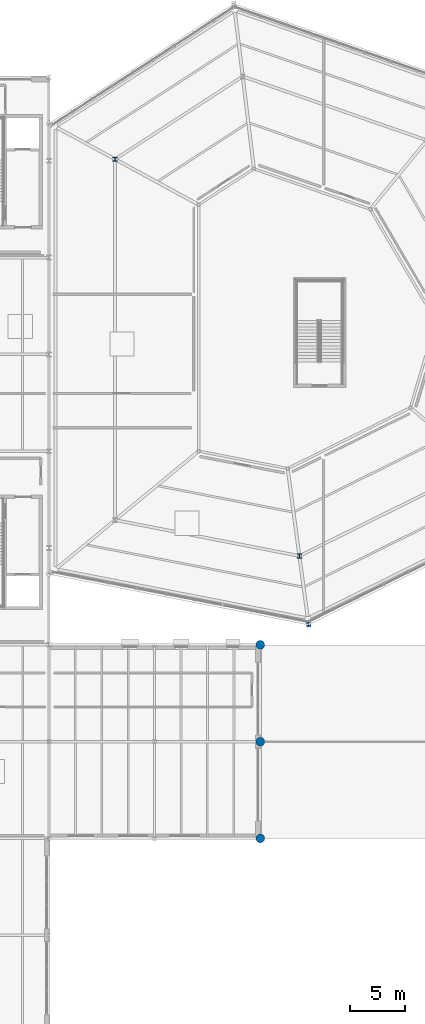
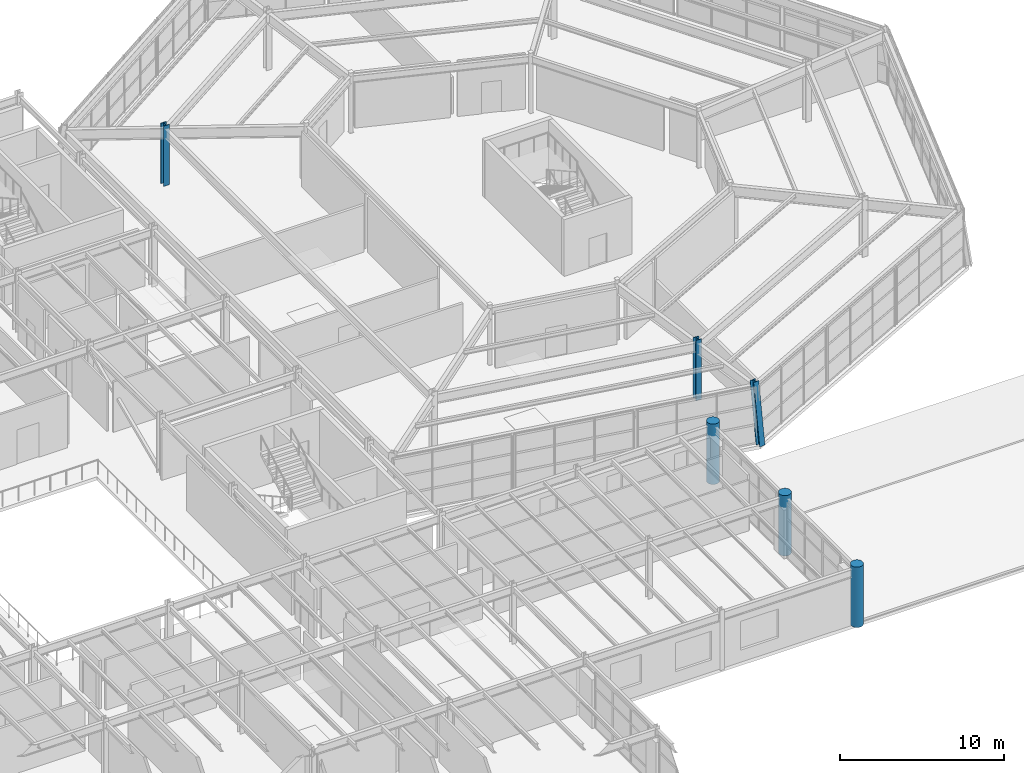
# One storey, part 14 of 77: 6 columns.
"""IFC4 building model written with IfcOpenShell, lengths in metres."""

from ifc_helpers import new_model, si_unit, direction, frame, origin, origin_2d, place, context, subcontext, project, spatial, circle, i_section, extrude, material, material_profile, profile_set, type_object, element, save


model = new_model("IFC4")

# Units and contexts
model_context = context("Model", 3, precision=1e-05, world=origin(), true_north=direction((0.0, 1.0)))
body_context = subcontext(model_context, "Body", "Model", "MODEL_VIEW")
ifc_project = project(units=[si_unit("LENGTHUNIT", "METRE"), si_unit("AREAUNIT", "SQUARE_METRE"), si_unit("VOLUMEUNIT", "CUBIC_METRE"), si_unit("PLANEANGLEUNIT", "RADIAN"), si_unit("MASSUNIT", "GRAM", prefix="KILO")], contexts=[model_context])

# Site, building, storey
site_placement = place(None, origin())
site = spatial("IfcSite", under=ifc_project, at=site_placement, CompositionType="ELEMENT")
building_placement = place(site_placement, origin())
building = spatial("IfcBuilding", under=site, at=building_placement, Name="Sarnbrook Museum", CompositionType="ELEMENT")
storey_placement = place(building_placement, frame((0.0, 0.0, 5.60009765625)))
storey = spatial("IfcBuildingStorey", under=building, at=storey_placement, Name="L01", CompositionType="ELEMENT", Elevation=5.60009765625)

# Columns
ifc_material_1 = material(Name="Concrete N50 (AS 3600, f'c = 50 MPa)", Category="concrete")
ifc_material_profile_1 = material_profile(ifc_material_1, circle(Radius=0.39990234375, at=origin_2d()), Name="DORIC D800")
ifc_profile_set_1 = profile_set([ifc_material_profile_1], Name="Concrete N50 (AS 3600, f'c = 50 MPa)")
column_type_1 = type_object("IfcColumnType", Name="COL-DORIC800", PredefinedType="COLUMN", material=ifc_profile_set_1)
for number, where, z_axis, x_axis, name in (
    (1, (138.39990234375, 39.199951171875, 0.0), (0.0, 0.0, 1.0), (1.0, 0.0, 0.0), "Column 15-E L01"),
    (2, (138.39990234375, 48.0, 0.0), (0.0, 0.0, 1.0), (1.0, 0.0, 0.0), "Column 15-F L01"),
    (3, (138.39990234375, 56.800048828125, 0.0), (0.0, 0.0, 1.0), (1.0, 0.0, 0.0), "Column 15-G L01"),
):
    element("IfcColumn", number, at=place(storey_placement, frame(where, z_axis=z_axis, x_axis=x_axis)), inside=storey, type_object=column_type_1, Name=name, PredefinedType="COLUMN", context=body_context, shape_type="SweptSolid", body=[
        extrude(circle(Radius=0.39990234375, at=origin_2d()), origin(), (0.0, 0.0, 1.0), 4.5),
    ])
ifc_material_2 = material(Name="Structural Steel Grade 350L0 (AS/NZS 3678, fy = 340 MPa for 20 < t <= 40 mm)", Category="steel")
ifc_material_profile_2 = material_profile(ifc_material_2, i_section(OverallWidth=0.39990234375, OverallDepth=0.382080078125, WebThickness=0.02490234375, FlangeThickness=0.035888671875, at=origin_2d()), Name="400WC270")
ifc_profile_set_2 = profile_set([ifc_material_profile_2], Name="Structural Steel Grade 350L0 (AS/NZS 3678, fy = 340 MPa for 20 < t <= 40 mm)")
column_type_2 = type_object("IfcColumnType", Name="COL-WC400", PredefinedType="COLUMN", material=ifc_profile_set_2)
column_placement = place(storey_placement, frame((142.79931640625, 58.60546875, 0.039794921875), z_axis=(-0.018325211514, 0.136408970914, 0.990483103984), x_axis=(-0.991096683266, -0.133144149024, 0.0)))
element("IfcColumn", 4, at=column_placement, inside=storey, type_object=column_type_2, Name="Raking Crystal Rib Column V2 L01", PredefinedType="COLUMN", context=body_context, shape_type="SweptSolid", body=[
    extrude(i_section(OverallWidth=0.39990234375, OverallDepth=0.382080078125, WebThickness=0.02490234375, FlangeThickness=0.035888671875, at=origin_2d()), origin(), (0.0, 0.0, 1.0), 4.503173828125),
])
for number, where, z_axis, x_axis, name in (
    (5, (141.9560546875, 64.87744140625, 0.0), (0.0, 0.0, 1.0), (1.0, 0.0, 0.0), "Crystal Hall Ring Column R1-2 L01"),
    (6, (125.199951171875, 100.940673828125, 0.0), (0.0, 0.0, 1.0), (1.0, 0.0, 0.0), "Crystal Hall Ring Column R1-7 L01"),
):
    element("IfcColumn", number, at=place(storey_placement, frame(where, z_axis=z_axis, x_axis=x_axis)), inside=storey, type_object=column_type_2, Name=name, PredefinedType="COLUMN", context=body_context, shape_type="SweptSolid", body=[
        extrude(i_section(OverallWidth=0.39990234375, OverallDepth=0.382080078125, WebThickness=0.02490234375, FlangeThickness=0.035888671875, at=origin_2d()), origin(), (0.0, 0.0, 1.0), 4.5),
    ])

save(model, "model.ifc")
